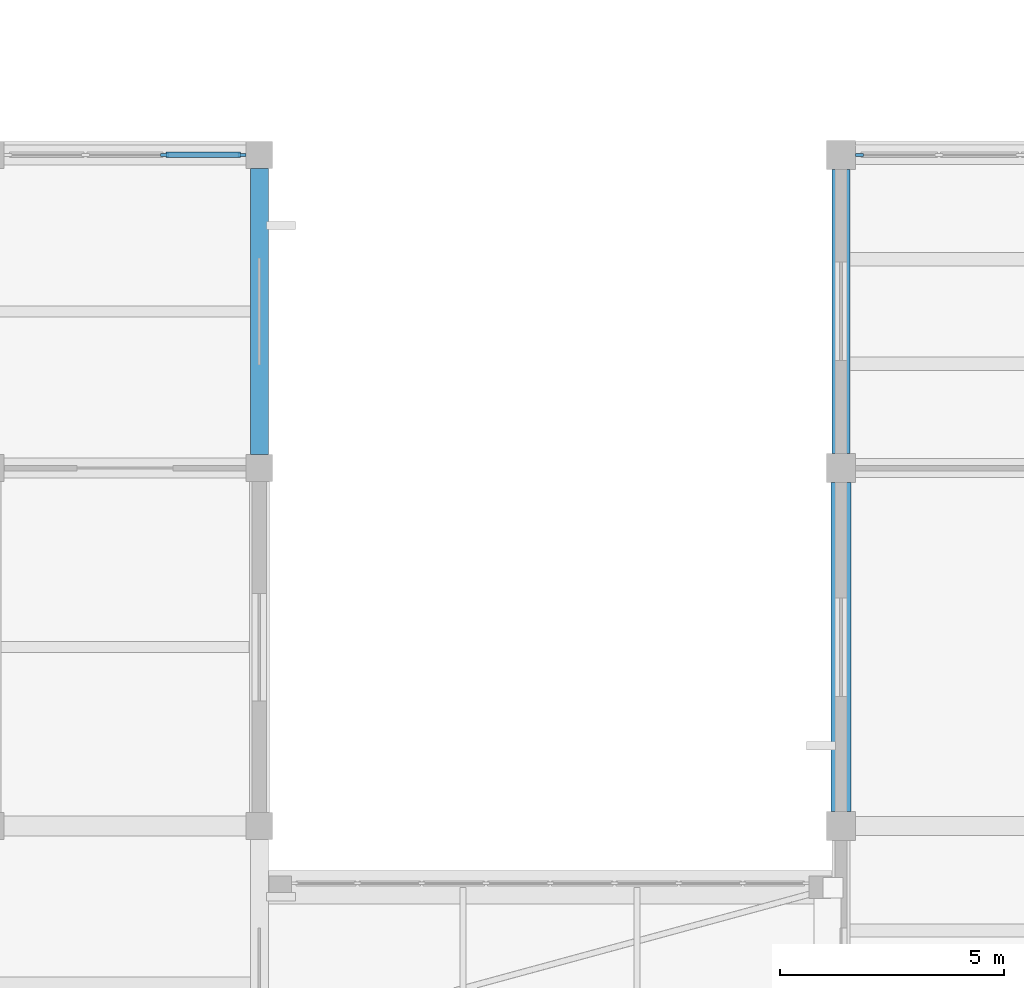
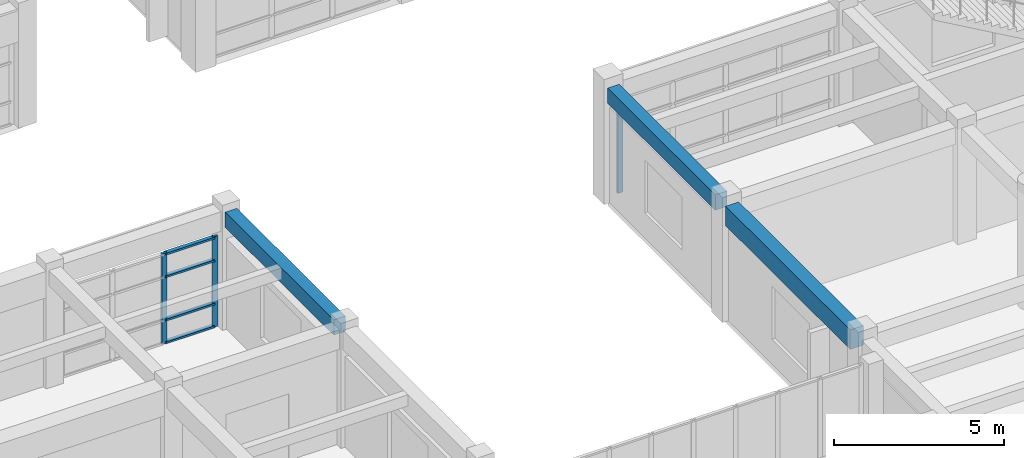
# One storey, part 10 of 72: 7 members, 3 beams, 2 elements without a shape of their own.
"""IFC4 building model written with IfcOpenShell, lengths in metres."""

from ifc_helpers import new_model, si_unit, direction, frame, origin, origin_2d, place, context, subcontext, project, spatial, rectangle, extrude, material, layer, layer_set, material_profile, profile_set, type_object, element, aggregate, save


model = new_model("IFC4")

# Units and contexts
model_context = context("Model", 3, precision=1e-05, world=origin(), true_north=direction((0.0, 1.0)))
body_context = subcontext(model_context, "Body", "Model", "MODEL_VIEW")
ifc_project = project(units=[si_unit("LENGTHUNIT", "METRE"), si_unit("AREAUNIT", "SQUARE_METRE"), si_unit("VOLUMEUNIT", "CUBIC_METRE"), si_unit("PLANEANGLEUNIT", "RADIAN"), si_unit("MASSUNIT", "GRAM", prefix="KILO")], contexts=[model_context])

# Site, building, storey
site_placement = place(None, origin())
site = spatial("IfcSite", under=ifc_project, at=site_placement, CompositionType="ELEMENT")
building_placement = place(site_placement, origin())
building = spatial("IfcBuilding", under=site, at=building_placement, Name="Naurynzar Civic Courthouse", CompositionType="ELEMENT")
storey_placement = place(building_placement, frame((0.0, 0.0, 9.89990234375)))
storey = spatial("IfcBuildingStorey", under=building, at=storey_placement, Name="L03", CompositionType="ELEMENT", Elevation=9.89990234375)

# Beams
ifc_material_1 = material(Name="Concrete C40/50", Category="concrete")
ifc_material_profile_1 = material_profile(ifc_material_1, rectangle(XDim=0.39990234375, YDim=0.550048828125, at=origin_2d()), Name="RCB 400x550")
ifc_profile_set_1 = profile_set([ifc_material_profile_1], Name="Concrete C40/50")
beam_type_1 = type_object("IfcBeamType", Name="BM-RC-400x550", PredefinedType="BEAM", material=ifc_profile_set_1)
beam_1_placement = place(storey_placement, frame((69.0, 25.324951171875, 3.885009765625), z_axis=(0.0, 1.0, 0.0), x_axis=(-1.0, 0.0, 0.0)))
element("IfcBeam", 1, at=beam_1_placement, inside=storey, type_object=beam_type_1, Name="V3 girder Y-1448 L03", PredefinedType="BEAM", context=body_context, shape_type="SweptSolid", body=[
    extrude(rectangle(XDim=0.39990234375, YDim=0.550048828125, at=origin_2d()), origin(), (0.0, 0.0, 1.0), 6.35009765625),
])
beam_2_placement = place(storey_placement, frame((56.0, 25.300048828125, 3.955078125), z_axis=(0.0, 1.0, 0.0), x_axis=(-1.0, 0.0, 0.0)))
element("IfcBeam", 2, at=beam_2_placement, inside=storey, type_object=beam_type_1, Name="V4 girder Y-1902 L03", PredefinedType="BEAM", context=body_context, shape_type="SweptSolid", body=[
    extrude(rectangle(XDim=0.39990234375, YDim=0.550048828125, at=origin_2d()), origin(), (0.0, 0.0, 1.0), 6.39990234375),
])
ifc_material_2 = material(Name="Concrete C40/50", Category="concrete")
ifc_material_profile_2 = material_profile(ifc_material_2, rectangle(XDim=0.449951171875, YDim=0.699951171875, at=origin_2d()), Name="RCB 450x700")
ifc_profile_set_2 = profile_set([ifc_material_profile_2], Name="Concrete C40/50")
beam_type_2 = type_object("IfcBeamType", Name="BM-RC-450x700", PredefinedType="BEAM", material=ifc_profile_set_2)
beam_3_placement = place(storey_placement, frame((69.0, 17.324951171875, 3.81005859375), z_axis=(0.0, 1.0, 0.0), x_axis=(-1.0, 0.0, 0.0)))
element("IfcBeam", 3, at=beam_3_placement, inside=storey, type_object=beam_type_2, Name="V3 girder Y-1447 L03", PredefinedType="BEAM", context=body_context, shape_type="SweptSolid", body=[
    extrude(rectangle(XDim=0.449951171875, YDim=0.699951171875, at=origin_2d()), origin(), (0.0, 0.0, 1.0), 7.35009765625),
])

# Curtain wall, member
ifc_material_3 = material(Name="Aluminium 6063-T6", Category="aluminium")
ifc_layer = layer(ifc_material_3, 0.159912109375)
ifc_layer_set = layer_set([ifc_layer], Name="CW-UNIT-1800")
curtain_wall_type = type_object("IfcCurtainWallType", Name="CW-UNIT-1800", PredefinedType="NOTDEFINED", material=ifc_layer_set)
curtain_wall_1_placement = place(storey_placement, origin())
curtain_wall_1 = element("IfcCurtainWall", 4, at=curtain_wall_1_placement, inside=storey, type_object=curtain_wall_type, Name="V3 unitised curtain wall 67 L03", PredefinedType="NOTDEFINED")
ifc_material_4 = material(Name="Aluminium 6063-T6", Category="aluminium")
ifc_material_profile_3 = material_profile(ifc_material_4, rectangle(XDim=0.070068359375, YDim=0.179931640625, at=origin_2d()), Name="ALU MULLION 70x180")
ifc_profile_set_3 = profile_set([ifc_material_profile_3], Name="Aluminium 6063-T6")
member_type_1 = type_object("IfcMemberType", Name="CWM-70x180", PredefinedType="MULLION", material=ifc_profile_set_3)
member_1_placement = place(storey_placement, frame((69.409912109375, 32.0, 0.0), z_axis=(0.0, 0.0, 1.0), x_axis=(0.0, 1.0, 0.0)))
member_1 = element("IfcMember", 5, at=member_1_placement, type_object=member_type_1, Name="CW-02 mullion 1", PredefinedType="MULLION", context=body_context, shape_type="SweptSolid", body=[
    extrude(rectangle(XDim=0.070068359375, YDim=0.179931640625, at=origin_2d()), origin(), (0.0, 0.0, 1.0), 3.440185546875),
])
aggregate(curtain_wall_1, [member_1])

# Curtain wall, members
curtain_wall_2_placement = place(storey_placement, origin())
curtain_wall_2 = element("IfcCurtainWall", 6, at=curtain_wall_2_placement, inside=storey, type_object=curtain_wall_type, Name="V4 unitised curtain wall 79 L03", PredefinedType="NOTDEFINED")
member_2_placement = place(storey_placement, frame((53.88330078125, 32.0, 0.0), z_axis=(0.0, 0.0, 1.0), x_axis=(0.0, 1.0, 0.0)))
member_2 = element("IfcMember", 7, at=member_2_placement, type_object=member_type_1, Name="CW-02 mullion 3", PredefinedType="MULLION", context=body_context, shape_type="SweptSolid", body=[
    extrude(rectangle(XDim=0.070068359375, YDim=0.179931640625, at=origin_2d()), origin(), (0.0, 0.0, 1.0), 3.260009765625),
])
member_3_placement = place(storey_placement, frame((55.614990234375, 32.0, 0.0), z_axis=(0.0, 0.0, 1.0), x_axis=(0.0, 1.0, 0.0)))
member_3 = element("IfcMember", 8, at=member_3_placement, type_object=member_type_1, Name="CW-02 mullion 4", PredefinedType="MULLION", context=body_context, shape_type="SweptSolid", body=[
    extrude(rectangle(XDim=0.070068359375, YDim=0.179931640625, at=origin_2d()), origin(), (0.0, 0.0, 1.0), 3.260009765625),
])
ifc_material_5 = material(Name="Aluminium 6063-T6", Category="aluminium")
ifc_material_profile_4 = material_profile(ifc_material_5, rectangle(XDim=0.1298828125, YDim=0.070068359375, at=origin_2d()), Name="ALU TRANSOM 70x130")
ifc_profile_set_4 = profile_set([ifc_material_profile_4], Name="Aluminium 6063-T6")
member_type_2 = type_object("IfcMemberType", Name="CWT-70x130", PredefinedType="USERDEFINED", material=ifc_profile_set_4)
member_4_placement = place(storey_placement, frame((53.918212890625, 32.0, 0.03515625), z_axis=(1.0, 0.0, 0.0), x_axis=(0.0, 1.0, 0.0)))
member_4 = element("IfcMember", 9, at=member_4_placement, type_object=member_type_2, Name="CW-02 transom 3.1", ObjectType="TRANSOM", PredefinedType="USERDEFINED", context=body_context, shape_type="SweptSolid", body=[
    extrude(rectangle(XDim=0.1298828125, YDim=0.070068359375, at=origin_2d()), origin(), (0.0, 0.0, 1.0), 1.661865234375),
])
member_5_placement = place(storey_placement, frame((53.918212890625, 32.0, 0.85009765625), z_axis=(1.0, 0.0, 0.0), x_axis=(0.0, 1.0, 0.0)))
member_5 = element("IfcMember", 10, at=member_5_placement, type_object=member_type_2, Name="CW-02 transom 3.2", ObjectType="TRANSOM", PredefinedType="USERDEFINED", context=body_context, shape_type="SweptSolid", body=[
    extrude(rectangle(XDim=0.1298828125, YDim=0.070068359375, at=origin_2d()), origin(), (0.0, 0.0, 1.0), 1.661865234375),
])
member_6_placement = place(storey_placement, frame((53.918212890625, 32.0, 2.41015625), z_axis=(1.0, 0.0, 0.0), x_axis=(0.0, 1.0, 0.0)))
member_6 = element("IfcMember", 11, at=member_6_placement, type_object=member_type_2, Name="CW-02 transom 3.3", ObjectType="TRANSOM", PredefinedType="USERDEFINED", context=body_context, shape_type="SweptSolid", body=[
    extrude(rectangle(XDim=0.1298828125, YDim=0.070068359375, at=origin_2d()), origin(), (0.0, 0.0, 1.0), 1.661865234375),
])
member_7_placement = place(storey_placement, frame((53.918212890625, 32.0, 3.22509765625), z_axis=(1.0, 0.0, 0.0), x_axis=(0.0, 1.0, 0.0)))
member_7 = element("IfcMember", 12, at=member_7_placement, type_object=member_type_2, Name="CW-02 transom 3.4", ObjectType="TRANSOM", PredefinedType="USERDEFINED", context=body_context, shape_type="SweptSolid", body=[
    extrude(rectangle(XDim=0.1298828125, YDim=0.070068359375, at=origin_2d()), origin(), (0.0, 0.0, 1.0), 1.661865234375),
])
aggregate(curtain_wall_2, [member_2, member_3, member_4, member_5, member_6, member_7])

save(model, "model.ifc")
